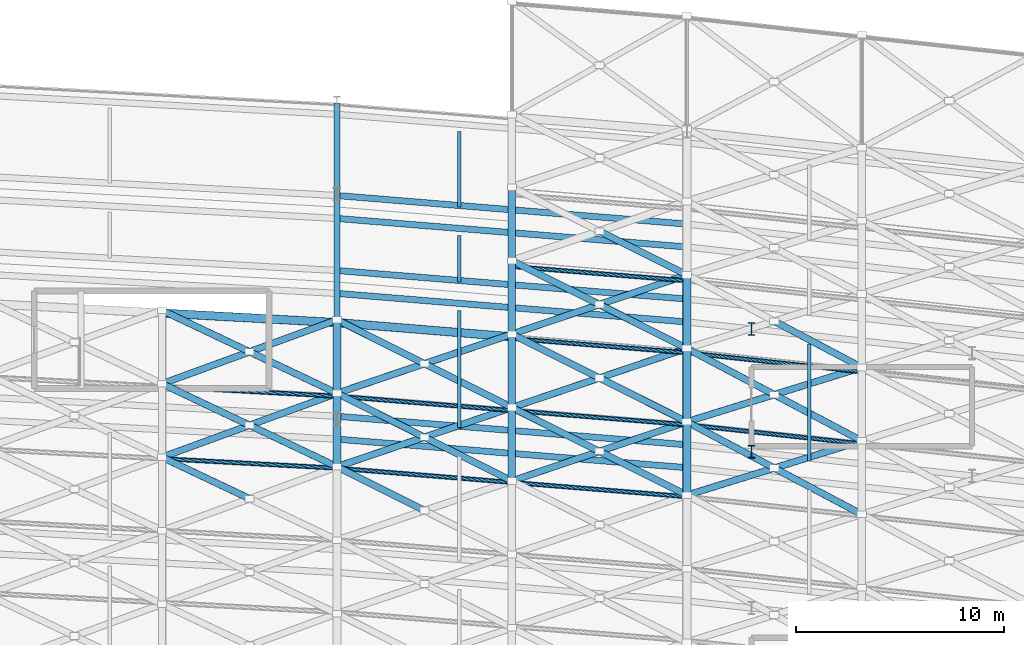
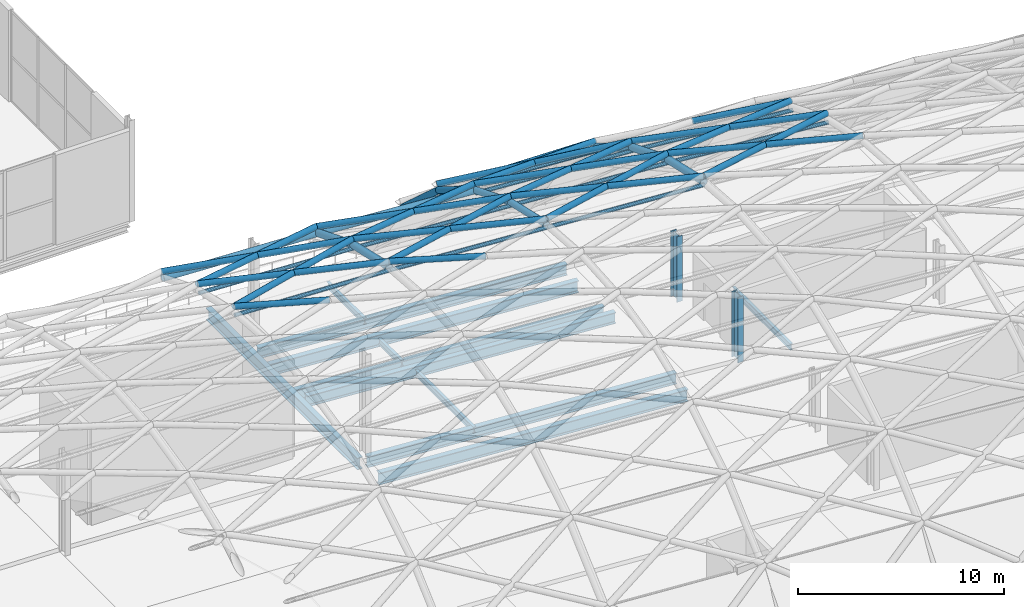
# One storey, part 57 of 100: 54 members, 11 beams.
"""IFC4 building model written with IfcOpenShell, lengths in metres."""

import ifcopenshell
import ifcopenshell.guid

model = None  # the IFC model being written
_history = None  # IfcOwnerHistory: only IFC2X3 demands one
_inside = {}  # id of a spatial element -> (the spatial element, [elements in it])
_under = {}  # id of a project, library or spatial element -> (it, [spatial elements below it])
_declared = {}  # id of a project -> (the project, [libraries it declares])
_typed = {}  # id of a type object -> (the type object, [elements of that type])
_made_of = {}  # id of a material, layer set ... -> (it, [elements and type objects made of it])


def new_model(schema):
    """Start an empty IFC model of exactly this schema.

    Asked for "IFC4X3", IfcOpenShell would pick the latest addendum, in which some entities
    have other attributes; the version numbers below select the first issue.
    IFC2X3 requires an IfcOwnerHistory on every rooted entity: one is made here for all.
    """
    global model, _history
    if schema == "IFC4X3":
        model = ifcopenshell.file(schema_version=(4, 3, 0, 0))
    else:
        model = ifcopenshell.file(schema=schema)
    _inside.clear()
    _under.clear()
    _declared.clear()
    _typed.clear()
    _made_of.clear()
    _history = None
    if model.schema == "IFC2X3":
        org = make("IfcOrganization", Name="unknown")
        user = make(
            "IfcPersonAndOrganization",
            ThePerson=make("IfcPerson", FamilyName="unknown"),
            TheOrganization=org,
        )
        app = make(
            "IfcApplication",
            ApplicationDeveloper=org,
            Version="unknown",
            ApplicationFullName="unknown",
            ApplicationIdentifier="unknown",
        )
        _history = make(
            "IfcOwnerHistory",
            OwningUser=user,
            OwningApplication=app,
            ChangeAction="ADDED",
            CreationDate=0,
        )
    return model


def make(cls, **values):
    """One entity of the class cls with the attributes given. An attribute that is None is left unset."""
    return model.create_entity(
        cls, **{name: value for name, value in values.items() if value is not None}
    )


def rooted(cls, **values):
    """An entity with a GlobalId (a new one), such as an element, a storey or a relation."""
    return make(cls, GlobalId=ifcopenshell.guid.new(), OwnerHistory=_history, **values)


def si_unit(unit_type, name, prefix=None):
    """IfcSIUnit, for example si_unit("LENGTHUNIT", "METRE", prefix="MILLI")."""
    return make("IfcSIUnit", UnitType=unit_type, Prefix=prefix, Name=name)


def assignment(units):
    """IfcUnitAssignment: the units of a project."""
    return None if units is None else make("IfcUnitAssignment", Units=units)


def point(xyz):
    """IfcCartesianPoint."""
    return None if xyz is None else make("IfcCartesianPoint", Coordinates=xyz)


def direction(xyz):
    """IfcDirection."""
    return None if xyz is None else make("IfcDirection", DirectionRatios=xyz)


def frame(location, z_axis=None, x_axis=None):
    """IfcAxis2Placement3D, a coordinate frame: its origin and axes. An axis left out is left unset."""
    return make(
        "IfcAxis2Placement3D",
        Location=point(location),
        Axis=direction(z_axis),
        RefDirection=direction(x_axis),
    )


def frame_2d(location, x_axis=None):
    """IfcAxis2Placement2D, a coordinate frame in the plane: its origin and x axis."""
    return make(
        "IfcAxis2Placement2D", Location=point(location), RefDirection=direction(x_axis)
    )


def origin():
    """The frame at (0, 0, 0) with its axes left unset."""
    return frame((0.0, 0.0, 0.0))


def origin_2d():
    """The frame at (0, 0) in the plane with its x axis left unset."""
    return frame_2d((0.0, 0.0))


def place(relative_to, where):
    """IfcLocalPlacement: puts the frame where relative to a parent placement (None: the world)."""
    return make(
        "IfcLocalPlacement", PlacementRelTo=relative_to, RelativePlacement=where
    )


def context(
    kind, dimensions, precision=None, world=None, true_north=None, identifier=None
):
    """IfcGeometricRepresentationContext, for example the 3D "Model" context."""
    return make(
        "IfcGeometricRepresentationContext",
        ContextIdentifier=identifier,
        ContextType=kind,
        CoordinateSpaceDimension=dimensions,
        Precision=precision,
        WorldCoordinateSystem=world,
        TrueNorth=true_north,
    )


def subcontext(parent, identifier, kind, view, scale=None):
    """IfcGeometricRepresentationSubContext, for example "Body" below "Model"."""
    return make(
        "IfcGeometricRepresentationSubContext",
        ContextIdentifier=identifier,
        ContextType=kind,
        ParentContext=parent,
        TargetScale=scale,
        TargetView=view,
    )


def project(units=None, contexts=None):
    """IfcProject with its units and contexts."""
    return rooted(
        "IfcProject",
        Name="project",
        RepresentationContexts=contexts,
        UnitsInContext=assignment(units),
    )


def spatial(cls, under=None, at=None, **own):
    """A site, building, storey or space (cls), placed at a placement, below another one or the project."""
    s = rooted(cls, ObjectPlacement=at, **own)
    if under is not None:
        _under.setdefault(under.id(), (under, []))[1].append(s)
    return s


def profile(cls, at=None, kind="AREA", **sizes):
    """A parametric profile (cls). Its sizes go by their IFC names, for example OverallWidth=200.0."""
    return make(cls, ProfileType=kind, Position=at, **sizes)


def hollow_circle(**sizes):
    """IfcCircleHollowProfileDef."""
    return profile("IfcCircleHollowProfileDef", **sizes)


def i_section(**sizes):
    """IfcIShapeProfileDef."""
    return profile("IfcIShapeProfileDef", **sizes)


def extrude(swept, where, along, depth):
    """IfcExtrudedAreaSolid: the profile swept, set in the frame where, extruded along a direction by depth."""
    return make(
        "IfcExtrudedAreaSolid",
        SweptArea=swept,
        Position=where,
        ExtrudedDirection=direction(along),
        Depth=depth,
    )


def shape(context_of_items, identifier, shape_type, items):
    """IfcShapeRepresentation: the items that make up one representation, for example the "Body"."""
    return make(
        "IfcShapeRepresentation",
        ContextOfItems=context_of_items,
        RepresentationIdentifier=identifier,
        RepresentationType=shape_type,
        Items=items,
    )


def material(Name=None, Category=None):
    """IfcMaterial."""
    return make("IfcMaterial", Name=Name, Category=Category)


def material_profile(
    of_material, cross_section, Name=None, Category=None, Priority=None
):
    """IfcMaterialProfile: a cross section and its material."""
    return make(
        "IfcMaterialProfile",
        Name=Name,
        Material=of_material,
        Profile=cross_section,
        Priority=Priority,
        Category=Category,
    )


def profile_set(profiles, Name=None, composite=None):
    """IfcMaterialProfileSet."""
    return make(
        "IfcMaterialProfileSet",
        Name=Name,
        MaterialProfiles=profiles,
        CompositeProfile=composite,
    )


def made_of(thing, what):
    """Note that an element or type object is made of a material, layer set ...; save() writes the relation."""
    if what is not None:
        _made_of.setdefault(what.id(), (what, []))[1].append(thing)
    return thing


def type_object(cls, material=None, **own):
    """A type object (cls), such as IfcWallType, which elements share."""
    return made_of(rooted(cls, **own), material)


def element(
    cls,
    number,
    at=None,
    inside=None,
    cuts=None,
    type_object=None,
    material=None,
    context=None,
    identifier="Body",
    shape_type=None,
    held_by="IfcProductDefinitionShape",
    body=None,
    shapes=None,
    **own,
):
    """One element of the class cls, such as IfcWall. Its Tag is "e" and its number.

    at: its placement. inside: the storey or other place that contains it. cuts: it is an
    opening in that element (IfcRelVoidsElement). A single representation is given by context,
    identifier, shape_type and body (its items); several are given by shapes. held_by: the class
    of the entity that holds the representations. save() writes the other relations.
    """
    e = rooted(cls, Tag="e%d" % number, ObjectPlacement=at, **own)
    if body is not None:
        shapes = [shape(context, identifier, shape_type, body)]
    if shapes is not None:
        e.Representation = make(held_by, Representations=shapes)
    if inside is not None:
        _inside.setdefault(inside.id(), (inside, []))[1].append(e)
    if cuts is not None:
        rooted(
            "IfcRelVoidsElement", RelatingBuildingElement=cuts, RelatedOpeningElement=e
        )
    if type_object is not None:
        _typed.setdefault(type_object.id(), (type_object, []))[1].append(e)
    return made_of(e, material)


def aggregate(whole, parts):
    """IfcRelAggregates: a whole, such as a stair, and the parts it consists of."""
    return rooted("IfcRelAggregates", RelatingObject=whole, RelatedObjects=parts)


def save(model, path):
    """Write the relations noted so far, then the file.

    IfcRelAggregates (storeys below a building ...), IfcRelContainedInSpatialStructure (elements
    in a storey), IfcRelDefinesByType, IfcRelAssociatesMaterial and IfcRelDeclares: one each for
    every whole, place, type object, material and project.
    """
    for whole, parts in _under.values():
        aggregate(whole, parts)
    for where, things in _inside.values():
        rooted(
            "IfcRelContainedInSpatialStructure",
            RelatedElements=things,
            RelatingStructure=where,
        )
    for kind, things in _typed.values():
        rooted("IfcRelDefinesByType", RelatedObjects=things, RelatingType=kind)
    for what, things in _made_of.values():
        rooted("IfcRelAssociatesMaterial", RelatedObjects=things, RelatingMaterial=what)
    for by, libraries in _declared.values():
        rooted("IfcRelDeclares", RelatingContext=by, RelatedDefinitions=libraries)
    model.write(path)


model = new_model("IFC4")

# Units and contexts
model_context = context("Model", 3, precision=1e-05, world=origin(), true_north=direction((0.0, 1.0)))
body_context = subcontext(model_context, "Body", "Model", "MODEL_VIEW")
ifc_project = project(units=[si_unit("LENGTHUNIT", "METRE"), si_unit("AREAUNIT", "SQUARE_METRE"), si_unit("VOLUMEUNIT", "CUBIC_METRE"), si_unit("PLANEANGLEUNIT", "RADIAN"), si_unit("MASSUNIT", "GRAM", prefix="KILO")], contexts=[model_context])

# Site, building, storey
site_placement = place(None, origin())
site = spatial("IfcSite", under=ifc_project, at=site_placement, CompositionType="ELEMENT")
building_placement = place(site_placement, origin())
building = spatial("IfcBuilding", under=site, at=building_placement, Name="Kimbaza Rail Terminus", CompositionType="ELEMENT")
storey_placement = place(building_placement, frame((0.0, 0.0, 10.800048828125)))
storey = spatial("IfcBuildingStorey", under=building, at=storey_placement, Name="L02", CompositionType="ELEMENT", Elevation=10.800048828125)

# Beams
ifc_material_1 = material(Name="Steel S355", Category="steel")
ifc_material_profile_1 = material_profile(ifc_material_1, i_section(OverallWidth=0.300048828125, OverallDepth=0.64990234375, WebThickness=0.01611328125, FlangeThickness=0.031005859375, FilletRadius=0.027099609375, at=origin_2d()), Name="HEB 650")
ifc_profile_set_1 = profile_set([ifc_material_profile_1], Name="Steel S355")
beam_type_1 = type_object("IfcBeamType", Name="STR-BM-HEB650", PredefinedType="USERDEFINED", material=ifc_profile_set_1)
for number, where, z_axis, x_axis, name in (
    (1, (156.14453125, 80.31396484375, -0.5849609375), (0.996690271877, -0.081292693071, 0.0), (0.081292693071, 0.996690271877, 0.0), "Viaduct Chorded Girder P3 Bay 09"),
    (2, (156.14453125, 86.214111328125, -0.5849609375), (0.996689077675, -0.081307333267, 0.0), (0.081307333267, 0.996689077675, 0.0), "Viaduct Chorded Girder P3 Bay 09"),
    (3, (156.14453125, 90.9140625, -0.5849609375), (0.996689077675, -0.081307333267, 0.0), (0.081307333267, 0.996689077675, 0.0), "Viaduct Chorded Girder P4 Bay 09"),
):
    element("IfcBeam", number, at=place(storey_placement, frame(where, z_axis=z_axis, x_axis=x_axis)), inside=storey, type_object=beam_type_1, Name=name, ObjectType="GIRDER", PredefinedType="USERDEFINED", context=body_context, shape_type="SweptSolid", body=[
        extrude(i_section(OverallWidth=0.300048828125, OverallDepth=0.64990234375, WebThickness=0.01611328125, FlangeThickness=0.031005859375, FilletRadius=0.027099609375, at=origin_2d()), origin(), (0.0, 0.0, 1.0), 16.56591796875),
    ])
ifc_material_2 = material(Name="Steel S355", Category="steel")
ifc_material_profile_2 = material_profile(ifc_material_2, i_section(OverallWidth=0.300048828125, OverallDepth=0.699951171875, WebThickness=0.01708984375, FlangeThickness=0.031982421875, FilletRadius=0.027099609375, at=origin_2d()), Name="HEB 700")
ifc_profile_set_2 = profile_set([ifc_material_profile_2], Name="Steel S355")
beam_type_2 = type_object("IfcBeamType", Name="STR-BM-HEB700", PredefinedType="USERDEFINED", material=ifc_profile_set_2)
beam_1_placement = place(storey_placement, frame((156.0, 80.697998046875, -0.920166015625), z_axis=(0.0, 1.0, 0.0), x_axis=(-1.0, 0.0, 0.0)))
element("IfcBeam", 4, at=beam_1_placement, inside=storey, type_object=beam_type_2, Name="Viaduct North Crosshead Girder VP-09", ObjectType="GIRDER", PredefinedType="USERDEFINED", context=body_context, shape_type="SweptSolid", body=[
    extrude(i_section(OverallWidth=0.300048828125, OverallDepth=0.699951171875, WebThickness=0.01708984375, FlangeThickness=0.031982421875, FilletRadius=0.027099609375, at=origin_2d()), origin(), (0.0, 0.0, 1.0), 14.677734375),
])
for number, where, z_axis, x_axis, name in (
    (5, (156.14453125, 79.214111328125, -0.920166015625), (0.996689077675, -0.081307333267, 0.0), (0.081307333267, 0.996689077675, 0.0), "Viaduct Chorded Girder TR34 Bay 09"),
    (6, (156.14453125, 87.31396484375, -0.920166015625), (0.996690271877, -0.081292693071, 0.0), (0.081292693071, 0.996690271877, 0.0), "Viaduct Chorded Girder TR56 Bay 09"),
    (7, (156.14453125, 89.81396484375, -0.920166015625), (0.996690271877, -0.081292693071, 0.0), (0.081292693071, 0.996690271877, 0.0), "Viaduct Chorded Girder TR56 Bay 09"),
):
    element("IfcBeam", number, at=place(storey_placement, frame(where, z_axis=z_axis, x_axis=x_axis)), inside=storey, type_object=beam_type_2, Name=name, ObjectType="GIRDER", PredefinedType="USERDEFINED", context=body_context, shape_type="SweptSolid", body=[
        extrude(i_section(OverallWidth=0.300048828125, OverallDepth=0.699951171875, WebThickness=0.01708984375, FlangeThickness=0.031982421875, FilletRadius=0.027099609375, at=origin_2d()), origin(), (0.0, 0.0, 1.0), 16.56591796875),
    ])
ifc_material_3 = material(Name="Steel S355", Category="steel")
ifc_material_profile_3 = material_profile(ifc_material_3, i_section(OverallWidth=0.169921875, OverallDepth=0.360107421875, WebThickness=0.008056640625, FlangeThickness=0.0126953125, FilletRadius=0.01806640625, at=origin_2d()), Name="IPE 360")
ifc_profile_set_3 = profile_set([ifc_material_profile_3], Name="Steel S355")
beam_type_3 = type_object("IfcBeamType", Name="STR-BM-IPE360", PredefinedType="JOIST", material=ifc_profile_set_3)
beam_2_placement = place(storey_placement, frame((161.8798828125, 79.78564453125, -0.43994140625), z_axis=(0.0, 1.0, 0.0), x_axis=(-1.0, 0.0, 0.0)))
element("IfcBeam", 8, at=beam_2_placement, inside=storey, type_object=beam_type_3, Name="Viaduct Diaphragm P3 Bay 09", PredefinedType="JOIST", context=body_context, shape_type="SweptSolid", body=[
    extrude(i_section(OverallWidth=0.169921875, OverallDepth=0.360107421875, WebThickness=0.008056640625, FlangeThickness=0.0126953125, FilletRadius=0.01806640625, at=origin_2d()), origin(), (0.0, 0.0, 1.0), 5.60986328125),
])
beam_3_placement = place(storey_placement, frame((161.8798828125, 86.78564453125, -0.75), z_axis=(0.0, 1.0, 0.0), x_axis=(-1.0, 0.0, 0.0)))
element("IfcBeam", 9, at=beam_3_placement, inside=storey, type_object=beam_type_3, Name="Viaduct Diaphragm TR56 Bay 09", PredefinedType="JOIST", context=body_context, shape_type="SweptSolid", body=[
    extrude(i_section(OverallWidth=0.169921875, OverallDepth=0.360107421875, WebThickness=0.008056640625, FlangeThickness=0.0126953125, FilletRadius=0.01806640625, at=origin_2d()), origin(), (0.0, 0.0, 1.0), 2.2099609375),
])
beam_4_placement = place(storey_placement, frame((161.8798828125, 90.385498046875, -0.43994140625), z_axis=(0.0, 1.0, 0.0), x_axis=(-1.0, 0.0, 0.0)))
element("IfcBeam", 10, at=beam_4_placement, inside=storey, type_object=beam_type_3, Name="Viaduct Diaphragm P4 Bay 09", PredefinedType="JOIST", context=body_context, shape_type="SweptSolid", body=[
    extrude(i_section(OverallWidth=0.169921875, OverallDepth=0.360107421875, WebThickness=0.008056640625, FlangeThickness=0.0126953125, FilletRadius=0.01806640625, at=origin_2d()), origin(), (0.0, 0.0, 1.0), 3.610107421875),
])
beam_5_placement = place(storey_placement, frame((178.679931640625, 78.1845703125, -0.43994140625), z_axis=(0.0, 1.0, 0.0), x_axis=(-1.0, 0.0, 0.0)))
element("IfcBeam", 11, at=beam_5_placement, inside=storey, type_object=beam_type_3, Name="Viaduct Diaphragm P3 Bay 10", PredefinedType="JOIST", context=body_context, shape_type="SweptSolid", body=[
    extrude(i_section(OverallWidth=0.169921875, OverallDepth=0.360107421875, WebThickness=0.008056640625, FlangeThickness=0.0126953125, FilletRadius=0.01806640625, at=origin_2d()), origin(), (0.0, 0.0, 1.0), 5.60986328125),
])

# Members
ifc_material_4 = material(Name="White painted steel S355", Category="steel")
ifc_material_profile_4 = material_profile(ifc_material_4, hollow_circle(Radius=0.109619140625, WallThickness=0.008056640625, at=origin_2d()), Name="CHS 219.1x8")
ifc_profile_set_4 = profile_set([ifc_material_profile_4], Name="White painted steel S355")
member_type_1 = type_object("IfcMemberType", Name="STR-MB-CHS219", PredefinedType="PURLIN", material=ifc_profile_set_4)
for number, where, z_axis, x_axis, name in (
    (12, (147.60009765625, 78.288818359375, 12.25244140625), (0.998529393298, -0.054213012459, 0.0), (0.054213012459, 0.998529393298, 0.0), "Vault lattice longitudinal purlin VR-15-VA08"),
    (13, (147.60009765625, 81.745849609375, 11.462158203125), (0.998529393298, -0.054213012459, 0.0), (0.054213012459, 0.998529393298, 0.0), "Vault lattice longitudinal purlin VR-15-VA09"),
):
    element("IfcMember", number, at=place(storey_placement, frame(where, z_axis=z_axis, x_axis=x_axis)), inside=storey, type_object=member_type_1, Name=name, PredefinedType="PURLIN", context=body_context, shape_type="SweptSolid", body=[
        extrude(hollow_circle(Radius=0.109619140625, WallThickness=0.008056640625, at=origin_2d()), origin(), (0.0, 0.0, 1.0), 8.412353515625),
    ])
for number, where, z_axis, x_axis, name in (
    (14, (156.0, 77.832763671875, 12.25244140625), (0.996690845265, -0.081285662728, 0.0), (0.081285662728, 0.996690845265, 0.0), "Vault lattice longitudinal purlin VR-16-VA08"),
    (15, (156.0, 81.289794921875, 11.462158203125), (0.996690845265, -0.081285662728, 0.0), (0.081285662728, 0.996690845265, 0.0), "Vault lattice longitudinal purlin VR-16-VA09"),
):
    element("IfcMember", number, at=place(storey_placement, frame(where, z_axis=z_axis, x_axis=x_axis)), inside=storey, type_object=member_type_1, Name=name, PredefinedType="PURLIN", context=body_context, shape_type="SweptSolid", body=[
        extrude(hollow_circle(Radius=0.109619140625, WallThickness=0.008056640625, at=origin_2d()), origin(), (0.0, 0.0, 1.0), 8.427734375),
    ])
for number, where, z_axis, x_axis, name in (
    (16, (164.39990234375, 77.147705078125, 12.25244140625), (0.996688689454, -0.081312092054, 0.0), (0.081312092054, 0.996688689454, 0.0), "Vault lattice longitudinal purlin VR-17-VA08"),
    (17, (164.39990234375, 80.604736328125, 11.462158203125), (0.996688689454, -0.081312092054, 0.0), (0.081312092054, 0.996688689454, 0.0), "Vault lattice longitudinal purlin VR-17-VA09"),
    (18, (164.39990234375, 84.061767578125, 10.078857421875), (0.996688689454, -0.081312092054, 0.0), (0.081312092054, 0.996688689454, 0.0), "Vault lattice longitudinal purlin VR-17-VA10"),
    (19, (164.39990234375, 87.518798828125, 7.9716796875), (0.996688689454, -0.081312092054, 0.0), (0.081312092054, 0.996688689454, 0.0), "Vault lattice longitudinal purlin VR-17-VA11"),
):
    element("IfcMember", number, at=place(storey_placement, frame(where, z_axis=z_axis, x_axis=x_axis)), inside=storey, type_object=member_type_1, Name=name, PredefinedType="PURLIN", context=body_context, shape_type="SweptSolid", body=[
        extrude(hollow_circle(Radius=0.109619140625, WallThickness=0.008056640625, at=origin_2d()), origin(), (0.0, 0.0, 1.0), 8.427978515625),
    ])
for number, where, z_axis, x_axis, name in (
    (20, (172.800048828125, 79.91943359375, 11.462158203125), (0.99410959352, -0.108379500241, 0.0), (0.108379500241, 0.99410959352, 0.0), "Vault lattice longitudinal purlin VR-18-VA09"),
    (21, (172.800048828125, 83.37646484375, 10.078857421875), (0.99410959352, -0.108379500241, 0.0), (0.108379500241, 0.99410959352, 0.0), "Vault lattice longitudinal purlin VR-18-VA10"),
):
    element("IfcMember", number, at=place(storey_placement, frame(where, z_axis=z_axis, x_axis=x_axis)), inside=storey, type_object=member_type_1, Name=name, PredefinedType="PURLIN", context=body_context, shape_type="SweptSolid", body=[
        extrude(hollow_circle(Radius=0.109619140625, WallThickness=0.008056640625, at=origin_2d()), origin(), (0.0, 0.0, 1.0), 8.44970703125),
    ])
ifc_material_5 = material(Name="White painted steel S355", Category="steel")
ifc_material_profile_5 = material_profile(ifc_material_5, hollow_circle(Radius=0.161865234375, WallThickness=0.010009765625, at=origin_2d()), Name="CHS 323.9x10")
ifc_profile_set_5 = profile_set([ifc_material_profile_5], Name="White painted steel S355")
member_type_2 = type_object("IfcMemberType", Name="STR-MB-CHS323", PredefinedType="STRUT", material=ifc_profile_set_5)
member_1_placement = place(storey_placement, frame((151.800048828125, 76.3671875, 12.8486328125), z_axis=(-0.903230698103, 0.428224703466, -0.028247289169), x_axis=(-0.428395648018, -0.903591261998, 0.0)))
element("IfcMember", 22, at=member_1_placement, inside=storey, type_object=member_type_2, Name="Vault lattice diagonal B2 VR-15-VA07", PredefinedType="STRUT", context=body_context, shape_type="SweptSolid", body=[
    extrude(hollow_circle(Radius=0.161865234375, WallThickness=0.010009765625, at=origin_2d()), origin(), (0.0, 0.0, 1.0), 4.64990234375),
])
member_2_placement = place(storey_placement, frame((147.60009765625, 78.3583984375, 12.71728515625), z_axis=(0.935414732903, 0.34196496281, -0.089773279313), x_axis=(-0.343351337448, 0.939207037385, 0.0)))
element("IfcMember", 23, at=member_2_placement, inside=storey, type_object=member_type_2, Name="Vault lattice diagonal A VR-15-VA08", PredefinedType="STRUT", context=body_context, shape_type="SweptSolid", body=[
    extrude(hollow_circle(Radius=0.161865234375, WallThickness=0.010009765625, at=origin_2d()), origin(), (0.0, 0.0, 1.0), 8.97998046875),
])
for number, where, z_axis, x_axis, name in (
    (24, (156.0, 77.90234375, 12.71728515625), (-0.900192603293, 0.426836660179, -0.086392954022), (-0.428438532209, -0.903570929213, 0.0), "Vault lattice diagonal B1 VR-15-VA08"),
    (25, (151.800048828125, 79.893798828125, 12.314208984375), (-0.90021270886, 0.426793864643, -0.086394883586), (-0.428395648018, -0.903591261998, 0.0), "Vault lattice diagonal B2 VR-15-VA08"),
):
    element("IfcMember", number, at=place(storey_placement, frame(where, z_axis=z_axis, x_axis=x_axis)), inside=storey, type_object=member_type_2, Name=name, PredefinedType="STRUT", context=body_context, shape_type="SweptSolid", body=[
        extrude(hollow_circle(Radius=0.161865234375, WallThickness=0.010009765625, at=origin_2d()), origin(), (0.0, 0.0, 1.0), 4.66552734375),
    ])
member_3_placement = place(storey_placement, frame((147.60009765625, 81.885009765625, 11.9111328125), z_axis=(0.927726263972, 0.339154244848, -0.155879367902), x_axis=(-0.343351337448, 0.939207037385, 0.0)))
element("IfcMember", 26, at=member_3_placement, inside=storey, type_object=member_type_2, Name="Vault lattice diagonal A VR-15-VA09", PredefinedType="STRUT", context=body_context, shape_type="SweptSolid", body=[
    extrude(hollow_circle(Radius=0.161865234375, WallThickness=0.010009765625, at=origin_2d()), origin(), (0.0, 0.0, 1.0), 9.05419921875),
])
for number, where, z_axis, x_axis, name in (
    (27, (156.0, 81.42919921875, 11.9111328125), (-0.893357247009, 0.423543667186, -0.150078616744), (-0.428395648018, -0.903591261998, 0.0), "Vault lattice diagonal B1 VR-15-VA09"),
    (28, (151.800048828125, 83.42041015625, 11.20556640625), (-0.893350283389, 0.423540365711, -0.150129376811), (-0.428395648018, -0.903591261998, 0.0), "Vault lattice diagonal B2 VR-15-VA09"),
):
    element("IfcMember", number, at=place(storey_placement, frame(where, z_axis=z_axis, x_axis=x_axis)), inside=storey, type_object=member_type_2, Name=name, PredefinedType="STRUT", context=body_context, shape_type="SweptSolid", body=[
        extrude(hollow_circle(Radius=0.161865234375, WallThickness=0.010009765625, at=origin_2d()), origin(), (0.0, 0.0, 1.0), 4.701416015625),
    ])
member_4_placement = place(storey_placement, frame((160.199951171875, 75.796630859375, 12.8486328125), z_axis=(-0.893589059431, 0.448015208835, -0.027945760273), x_axis=(-0.448190253585, -0.893938195063, 0.0)))
element("IfcMember", 29, at=member_4_placement, inside=storey, type_object=member_type_2, Name="Vault lattice diagonal B2 VR-16-VA07", PredefinedType="STRUT", context=body_context, shape_type="SweptSolid", body=[
    extrude(hollow_circle(Radius=0.161865234375, WallThickness=0.010009765625, at=origin_2d()), origin(), (0.0, 0.0, 1.0), 4.7001953125),
])
member_5_placement = place(storey_placement, frame((156.0, 77.90234375, 12.71728515625), z_axis=(0.943376650186, 0.319129245815, -0.090537397515), x_axis=(-0.320445296597, 0.947267022486, 0.0)))
element("IfcMember", 30, at=member_5_placement, inside=storey, type_object=member_type_2, Name="Vault lattice diagonal A VR-16-VA08", PredefinedType="STRUT", context=body_context, shape_type="SweptSolid", body=[
    extrude(hollow_circle(Radius=0.161865234375, WallThickness=0.010009765625, at=origin_2d()), origin(), (0.0, 0.0, 1.0), 8.904052734375),
])
for number, where, z_axis, x_axis, name in (
    (31, (164.39990234375, 77.21728515625, 12.71728515625), (-0.890645786714, 0.446591324548, -0.085476730446), (-0.448231777961, -0.893917374944, 0.0), "Vault lattice diagonal B1 VR-16-VA08"),
    (32, (160.199951171875, 79.3232421875, 12.314208984375), (-0.890645786714, 0.446591324548, -0.085476730446), (-0.448231777961, -0.893917374944, 0.0), "Vault lattice diagonal B2 VR-16-VA08"),
):
    element("IfcMember", number, at=place(storey_placement, frame(where, z_axis=z_axis, x_axis=x_axis)), inside=storey, type_object=member_type_2, Name=name, PredefinedType="STRUT", context=body_context, shape_type="SweptSolid", body=[
        extrude(hollow_circle(Radius=0.161865234375, WallThickness=0.010009765625, at=origin_2d()), origin(), (0.0, 0.0, 1.0), 4.715576171875),
    ])
member_6_placement = place(storey_placement, frame((156.0, 81.42919921875, 11.9111328125), z_axis=(0.935499887478, 0.316437472838, -0.157185515594), x_axis=(-0.320420591372, 0.94727537951, 0.0)))
element("IfcMember", 33, at=member_6_placement, inside=storey, type_object=member_type_2, Name="Vault lattice diagonal A VR-16-VA09", PredefinedType="STRUT", context=body_context, shape_type="SweptSolid", body=[
    extrude(hollow_circle(Radius=0.161865234375, WallThickness=0.010009765625, at=origin_2d()), origin(), (0.0, 0.0, 1.0), 8.97900390625),
])
for number, where, z_axis, x_axis, name in (
    (34, (164.39990234375, 80.743896484375, 11.9111328125), (-0.884004977772, 0.443261462434, -0.148507492051), (-0.448231777961, -0.893917374944, 0.0), "Vault lattice diagonal B1 VR-16-VA09"),
    (35, (160.199951171875, 82.849853515625, 11.20556640625), (-0.883998230569, 0.443258079224, -0.148557744845), (-0.448231777961, -0.893917374944, 0.0), "Vault lattice diagonal B2 VR-16-VA09"),
):
    element("IfcMember", number, at=place(storey_placement, frame(where, z_axis=z_axis, x_axis=x_axis)), inside=storey, type_object=member_type_2, Name=name, PredefinedType="STRUT", context=body_context, shape_type="SweptSolid", body=[
        extrude(hollow_circle(Radius=0.161865234375, WallThickness=0.010009765625, at=origin_2d()), origin(), (0.0, 0.0, 1.0), 4.7509765625),
    ])
member_7_placement = place(storey_placement, frame((164.39990234375, 77.21728515625, 12.71728515625), z_axis=(0.943379667265, 0.319120991289, -0.090535055695), x_axis=(-0.32043693953, 0.947269849507, 0.0)))
element("IfcMember", 36, at=member_7_placement, inside=storey, type_object=member_type_2, Name="Vault lattice diagonal A VR-17-VA08", PredefinedType="STRUT", context=body_context, shape_type="SweptSolid", body=[
    extrude(hollow_circle(Radius=0.161865234375, WallThickness=0.010009765625, at=origin_2d()), origin(), (0.0, 0.0, 1.0), 8.904296875),
])
member_8_placement = place(storey_placement, frame((172.800048828125, 76.531982421875, 12.71728515625), z_axis=(-0.890645786714, 0.446591324548, -0.085476730446), x_axis=(-0.448231777961, -0.893917374944, 0.0)))
element("IfcMember", 37, at=member_8_placement, inside=storey, type_object=member_type_2, Name="Vault lattice diagonal B1 VR-17-VA08", PredefinedType="STRUT", context=body_context, shape_type="SweptSolid", body=[
    extrude(hollow_circle(Radius=0.161865234375, WallThickness=0.010009765625, at=origin_2d()), origin(), (0.0, 0.0, 1.0), 4.715576171875),
])
member_9_placement = place(storey_placement, frame((168.60009765625, 78.637939453125, 12.314208984375), z_axis=(-0.890656489984, 0.446570732539, -0.085472789175), x_axis=(-0.448210958208, -0.893927814168, 0.0)))
element("IfcMember", 38, at=member_9_placement, inside=storey, type_object=member_type_2, Name="Vault lattice diagonal B2 VR-17-VA08", PredefinedType="STRUT", context=body_context, shape_type="SweptSolid", body=[
    extrude(hollow_circle(Radius=0.161865234375, WallThickness=0.010009765625, at=origin_2d()), origin(), (0.0, 0.0, 1.0), 4.7158203125),
])
member_10_placement = place(storey_placement, frame((164.39990234375, 80.743896484375, 11.9111328125), z_axis=(0.935495232902, 0.316453890654, -0.157180165123), x_axis=(-0.32043693953, 0.947269849507, 0.0)))
element("IfcMember", 39, at=member_10_placement, inside=storey, type_object=member_type_2, Name="Vault lattice diagonal A VR-17-VA09", PredefinedType="STRUT", context=body_context, shape_type="SweptSolid", body=[
    extrude(hollow_circle(Radius=0.161865234375, WallThickness=0.010009765625, at=origin_2d()), origin(), (0.0, 0.0, 1.0), 8.979248046875),
])
member_11_placement = place(storey_placement, frame((172.800048828125, 80.058837890625, 11.9111328125), z_axis=(-0.884004977772, 0.443261462434, -0.148507492051), x_axis=(-0.448231777961, -0.893917374944, 0.0)))
element("IfcMember", 40, at=member_11_placement, inside=storey, type_object=member_type_2, Name="Vault lattice diagonal B1 VR-17-VA09", PredefinedType="STRUT", context=body_context, shape_type="SweptSolid", body=[
    extrude(hollow_circle(Radius=0.161865234375, WallThickness=0.010009765625, at=origin_2d()), origin(), (0.0, 0.0, 1.0), 4.7509765625),
])
member_12_placement = place(storey_placement, frame((168.60009765625, 82.164794921875, 11.20556640625), z_axis=(-0.884029593244, 0.443196654367, -0.148554380032), x_axis=(-0.448169434791, -0.893948632596, 0.0)))
element("IfcMember", 41, at=member_12_placement, inside=storey, type_object=member_type_2, Name="Vault lattice diagonal B2 VR-17-VA09", PredefinedType="STRUT", context=body_context, shape_type="SweptSolid", body=[
    extrude(hollow_circle(Radius=0.161865234375, WallThickness=0.010009765625, at=origin_2d()), origin(), (0.0, 0.0, 1.0), 4.751220703125),
])
member_13_placement = place(storey_placement, frame((164.39990234375, 84.2705078125, 10.499755859375), z_axis=(0.920612433411, 0.311419423736, -0.235564619518), x_axis=(-0.32043693953, 0.947269849507, 0.0)))
element("IfcMember", 42, at=member_13_placement, inside=storey, type_object=member_type_2, Name="Vault lattice diagonal A VR-17-VA10", PredefinedType="STRUT", context=body_context, shape_type="SweptSolid", body=[
    extrude(hollow_circle(Radius=0.161865234375, WallThickness=0.010009765625, at=origin_2d()), origin(), (0.0, 0.0, 1.0), 9.12451171875),
])
for number, where, z_axis, x_axis, name in (
    (43, (172.800048828125, 83.58544921875, 10.499755859375), (-0.871410926215, 0.436946500583, -0.222981508876), (-0.448231777961, -0.893917374944, 0.0), "Vault lattice diagonal B1 VR-17-VA10"),
    (44, (168.60009765625, 85.69140625, 9.425048828125), (-0.871423115081, 0.43692721406, -0.222971666623), (-0.448210958208, -0.893927814168, 0.0), "Vault lattice diagonal B2 VR-17-VA10"),
):
    element("IfcMember", number, at=place(storey_placement, frame(where, z_axis=z_axis, x_axis=x_axis)), inside=storey, type_object=member_type_2, Name=name, PredefinedType="STRUT", context=body_context, shape_type="SweptSolid", body=[
        extrude(hollow_circle(Radius=0.161865234375, WallThickness=0.010009765625, at=origin_2d()), origin(), (0.0, 0.0, 1.0), 4.81982421875),
    ])
member_14_placement = place(storey_placement, frame((172.800048828125, 87.112060546875, 8.350341796875), z_axis=(-0.846673017368, 0.424542315167, -0.320793741045), x_axis=(-0.448231777961, -0.893917374944, 0.0)))
element("IfcMember", 45, at=member_14_placement, inside=storey, type_object=member_type_2, Name="Vault lattice diagonal B1 VR-17-VA11", PredefinedType="STRUT", context=body_context, shape_type="SweptSolid", body=[
    extrude(hollow_circle(Radius=0.161865234375, WallThickness=0.010009765625, at=origin_2d()), origin(), (0.0, 0.0, 1.0), 4.96044921875),
])
member_15_placement = place(storey_placement, frame((172.800048828125, 76.531982421875, 12.71728515625), z_axis=(0.950950939485, 0.295572555567, -0.091264314427), x_axis=(-0.296811236638, 0.95493617054, 0.0)))
element("IfcMember", 46, at=member_15_placement, inside=storey, type_object=member_type_2, Name="Vault lattice diagonal A VR-18-VA08", PredefinedType="STRUT", context=body_context, shape_type="SweptSolid", body=[
    extrude(hollow_circle(Radius=0.161865234375, WallThickness=0.010009765625, at=origin_2d()), origin(), (0.0, 0.0, 1.0), 8.833251953125),
])
for number, where, z_axis, x_axis, name in (
    (47, (181.199951171875, 75.6162109375, 12.71728515625), (-0.880824902411, 0.465834154632, -0.084534204144), (-0.467507561467, -0.883989072314, 0.0), "Vault lattice diagonal B1 VR-18-VA08"),
    (48, (177.0, 77.83740234375, 12.314208984375), (-0.880803892964, 0.465874244148, -0.084532187833), (-0.467547714731, -0.883967835642, 0.0), "Vault lattice diagonal B2 VR-18-VA08"),
):
    element("IfcMember", number, at=place(storey_placement, frame(where, z_axis=z_axis, x_axis=x_axis)), inside=storey, type_object=member_type_2, Name=name, PredefinedType="STRUT", context=body_context, shape_type="SweptSolid", body=[
        extrude(hollow_circle(Radius=0.161865234375, WallThickness=0.010009765625, at=origin_2d()), origin(), (0.0, 0.0, 1.0), 4.768310546875),
    ])
member_16_placement = place(storey_placement, frame((172.800048828125, 80.058837890625, 11.9111328125), z_axis=(0.942883878905, 0.29303776426, -0.158426196127), x_axis=(-0.296785926517, 0.95494403701, 0.0)))
element("IfcMember", 49, at=member_16_placement, inside=storey, type_object=member_type_2, Name="Vault lattice diagonal A VR-18-VA09", PredefinedType="STRUT", context=body_context, shape_type="SweptSolid", body=[
    extrude(hollow_circle(Radius=0.161865234375, WallThickness=0.010009765625, at=origin_2d()), origin(), (0.0, 0.0, 1.0), 8.90869140625),
])
member_17_placement = place(storey_placement, frame((181.199951171875, 79.142822265625, 11.9111328125), z_axis=(-0.874379233478, 0.462476117271, -0.146890425202), x_axis=(-0.467547714731, -0.883967835642, 0.0)))
element("IfcMember", 50, at=member_17_placement, inside=storey, type_object=member_type_2, Name="Vault lattice diagonal B1 VR-18-VA09", PredefinedType="STRUT", context=body_context, shape_type="SweptSolid", body=[
    extrude(hollow_circle(Radius=0.161865234375, WallThickness=0.010009765625, at=origin_2d()), origin(), (0.0, 0.0, 1.0), 4.803466796875),
])
member_18_placement = place(storey_placement, frame((177.0, 81.3642578125, 11.20556640625), z_axis=(-0.874393256877, 0.462432706567, -0.146943609), x_axis=(-0.467507561467, -0.883989072314, 0.0)))
element("IfcMember", 51, at=member_18_placement, inside=storey, type_object=member_type_2, Name="Vault lattice diagonal B2 VR-18-VA09", PredefinedType="STRUT", context=body_context, shape_type="SweptSolid", body=[
    extrude(hollow_circle(Radius=0.161865234375, WallThickness=0.010009765625, at=origin_2d()), origin(), (0.0, 0.0, 1.0), 4.80322265625),
])
member_19_placement = place(storey_placement, frame((181.199951171875, 82.66943359375, 10.499755859375), z_axis=(-0.862186503553, 0.456027146186, -0.220621111936), x_axis=(-0.467547714731, -0.883967835642, 0.0)))
element("IfcMember", 52, at=member_19_placement, inside=storey, type_object=member_type_2, Name="Vault lattice diagonal B1 VR-18-VA10", PredefinedType="STRUT", context=body_context, shape_type="SweptSolid", body=[
    extrude(hollow_circle(Radius=0.161865234375, WallThickness=0.010009765625, at=origin_2d()), origin(), (0.0, 0.0, 1.0), 4.871337890625),
])
ifc_material_6 = material(Name="White painted steel S355", Category="steel")
ifc_material_profile_6 = material_profile(ifc_material_6, hollow_circle(Radius=0.177734375, WallThickness=0.012451171875, at=origin_2d()), Name="CHS 355.6x12.5")
ifc_profile_set_6 = profile_set([ifc_material_profile_6], Name="White painted steel S355")
member_type_3 = type_object("IfcMemberType", Name="STR-MB-CHS355", PredefinedType="CHORD", material=ifc_profile_set_6)
member_20_placement = place(storey_placement, frame((164.39990234375, 77.1728515625, 12.420654296875), z_axis=(0.0, 0.974845354939, -0.22288233208), x_axis=(-1.0, 0.0, 0.0)))
element("IfcMember", 53, at=member_20_placement, inside=storey, type_object=member_type_3, Name="Vault lattice arch chord VR-17 seg 9", PredefinedType="CHORD", context=body_context, shape_type="SweptSolid", body=[
    extrude(hollow_circle(Radius=0.177734375, WallThickness=0.012451171875, at=origin_2d()), origin(), (0.0, 0.0, 1.0), 3.572021484375),
])
member_21_placement = place(storey_placement, frame((164.39990234375, 80.655029296875, 11.62451171875), z_axis=(0.0, 0.928413829694, -0.37154779078), x_axis=(-1.0, 0.0, 0.0)))
element("IfcMember", 54, at=member_21_placement, inside=storey, type_object=member_type_3, Name="Vault lattice arch chord VR-17 seg 10", PredefinedType="CHORD", context=body_context, shape_type="SweptSolid", body=[
    extrude(hollow_circle(Radius=0.177734375, WallThickness=0.012451171875, at=origin_2d()), origin(), (0.0, 0.0, 1.0), 3.750732421875),
])
member_22_placement = place(storey_placement, frame((164.39990234375, 84.13720703125, 10.23095703125), z_axis=(0.0, 0.853901304322, -0.520434974302), x_axis=(-1.0, 0.0, 0.0)))
element("IfcMember", 55, at=member_22_placement, inside=storey, type_object=member_type_3, Name="Vault lattice arch chord VR-17 seg 11", PredefinedType="CHORD", context=body_context, shape_type="SweptSolid", body=[
    extrude(hollow_circle(Radius=0.177734375, WallThickness=0.012451171875, at=origin_2d()), origin(), (0.0, 0.0, 1.0), 4.077880859375),
])
member_23_placement = place(storey_placement, frame((164.39990234375, 87.619384765625, 8.108642578125), z_axis=(0.0, 0.742403219767, -0.669953326195), x_axis=(-1.0, 0.0, 0.0)))
element("IfcMember", 56, at=member_23_placement, inside=storey, type_object=member_type_3, Name="Vault lattice arch chord VR-17 seg 12", PredefinedType="CHORD", context=body_context, shape_type="SweptSolid", body=[
    extrude(hollow_circle(Radius=0.177734375, WallThickness=0.012451171875, at=origin_2d()), origin(), (0.0, 0.0, 1.0), 4.690673828125),
])
ifc_material_7 = material(Name="White painted steel S355", Category="steel")
ifc_material_profile_7 = material_profile(ifc_material_7, hollow_circle(Radius=0.203125, WallThickness=0.01416015625, at=origin_2d()), Name="CHS 406.4x14.2")
ifc_profile_set_7 = profile_set([ifc_material_profile_7], Name="White painted steel S355")
member_type_4 = type_object("IfcMemberType", Name="STR-MB-CHS406", PredefinedType="CHORD", material=ifc_profile_set_7)
member_24_placement = place(storey_placement, frame((156.0, 77.85791015625, 12.420654296875), z_axis=(0.0, 0.974848749884, -0.22286748271), x_axis=(-1.0, 0.0, 0.0)))
element("IfcMember", 57, at=member_24_placement, inside=storey, type_object=member_type_4, Name="Vault lattice arch chord VR-16 seg 9", PredefinedType="CHORD", context=body_context, shape_type="SweptSolid", body=[
    extrude(hollow_circle(Radius=0.203125, WallThickness=0.01416015625, at=origin_2d()), origin(), (0.0, 0.0, 1.0), 3.572265625),
])
member_25_placement = place(storey_placement, frame((156.0, 81.34033203125, 11.62451171875), z_axis=(0.0, 0.928413829694, -0.37154779078), x_axis=(-1.0, 0.0, 0.0)))
element("IfcMember", 58, at=member_25_placement, inside=storey, type_object=member_type_4, Name="Vault lattice arch chord VR-16 seg 10", PredefinedType="CHORD", context=body_context, shape_type="SweptSolid", body=[
    extrude(hollow_circle(Radius=0.203125, WallThickness=0.01416015625, at=origin_2d()), origin(), (0.0, 0.0, 1.0), 3.750732421875),
])
member_26_placement = place(storey_placement, frame((172.800048828125, 76.487548828125, 12.420654296875), z_axis=(0.0, 0.974848749884, -0.22286748271), x_axis=(-1.0, 0.0, 0.0)))
element("IfcMember", 59, at=member_26_placement, inside=storey, type_object=member_type_4, Name="Vault lattice arch chord VR-18 seg 9", PredefinedType="CHORD", context=body_context, shape_type="SweptSolid", body=[
    extrude(hollow_circle(Radius=0.203125, WallThickness=0.01416015625, at=origin_2d()), origin(), (0.0, 0.0, 1.0), 3.572265625),
])
member_27_placement = place(storey_placement, frame((172.800048828125, 79.969970703125, 11.62451171875), z_axis=(0.0, 0.928413829694, -0.37154779078), x_axis=(-1.0, 0.0, 0.0)))
element("IfcMember", 60, at=member_27_placement, inside=storey, type_object=member_type_4, Name="Vault lattice arch chord VR-18 seg 10", PredefinedType="CHORD", context=body_context, shape_type="SweptSolid", body=[
    extrude(hollow_circle(Radius=0.203125, WallThickness=0.01416015625, at=origin_2d()), origin(), (0.0, 0.0, 1.0), 3.750732421875),
])
member_28_placement = place(storey_placement, frame((172.800048828125, 83.4521484375, 10.23095703125), z_axis=(0.0, 0.853901304322, -0.520434974302), x_axis=(-1.0, 0.0, 0.0)))
element("IfcMember", 61, at=member_28_placement, inside=storey, type_object=member_type_4, Name="Vault lattice arch chord VR-18 seg 11", PredefinedType="CHORD", context=body_context, shape_type="SweptSolid", body=[
    extrude(hollow_circle(Radius=0.203125, WallThickness=0.01416015625, at=origin_2d()), origin(), (0.0, 0.0, 1.0), 4.077880859375),
])
member_29_placement = place(storey_placement, frame((147.60009765625, 85.2783203125, 10.23095703125), z_axis=(0.998530963935, -0.054184075733, 0.0), x_axis=(0.054184075733, 0.998530963935, 0.0)))
element("IfcMember", 62, at=member_29_placement, inside=storey, type_object=member_type_4, Name="Vault lattice springing ring chord VR-15", PredefinedType="CHORD", context=body_context, shape_type="SweptSolid", body=[
    extrude(hollow_circle(Radius=0.203125, WallThickness=0.01416015625, at=origin_2d()), origin(), (0.0, 0.0, 1.0), 8.412353515625),
])
member_30_placement = place(storey_placement, frame((156.0, 84.822509765625, 10.23095703125), z_axis=(0.996688497922, -0.081314439739, 0.0), x_axis=(0.081314439739, 0.996688497922, 0.0)))
element("IfcMember", 63, at=member_30_placement, inside=storey, type_object=member_type_4, Name="Vault lattice springing ring chord VR-16", PredefinedType="CHORD", context=body_context, shape_type="SweptSolid", body=[
    extrude(hollow_circle(Radius=0.203125, WallThickness=0.01416015625, at=origin_2d()), origin(), (0.0, 0.0, 1.0), 8.427734375),
])
ifc_material_8 = material(Name="Steel S355", Category="steel")
ifc_material_profile_8 = material_profile(ifc_material_8, i_section(OverallWidth=0.304931640625, OverallDepth=0.6201171875, WebThickness=0.02099609375, FlangeThickness=0.0400390625, FilletRadius=0.027099609375, at=origin_2d()), Name="HEM 600")
ifc_profile_set_8 = profile_set([ifc_material_profile_8], Name="Steel S355")
member_type_5 = type_object("IfcMemberType", Name="STR-MB-HEM600", PredefinedType="POST", material=ifc_profile_set_8)
for number, where, z_axis, x_axis, name in (
    (64, (175.89990234375, 78.617431640625, -0.449951171875), (0.0, 0.0, 1.0), (1.0, 0.0, 0.0), "Island Platform 4-5 Air-Conditioned Waiting Lounge 10 Corner Post 1"),
    (65, (175.89990234375, 84.517333984375, -0.449951171875), (0.0, 0.0, 1.0), (1.0, 0.0, 0.0), "Island Platform 4-5 Air-Conditioned Waiting Lounge 10 Corner Post 4"),
):
    element("IfcMember", number, at=place(storey_placement, frame(where, z_axis=z_axis, x_axis=x_axis)), inside=storey, type_object=member_type_5, Name=name, PredefinedType="POST", context=body_context, shape_type="SweptSolid", body=[
        extrude(i_section(OverallWidth=0.304931640625, OverallDepth=0.6201171875, WebThickness=0.02099609375, FlangeThickness=0.0400390625, FilletRadius=0.027099609375, at=origin_2d()), origin(), (0.0, 0.0, 1.0), 3.869873046875),
    ])

save(model, "model.ifc")
